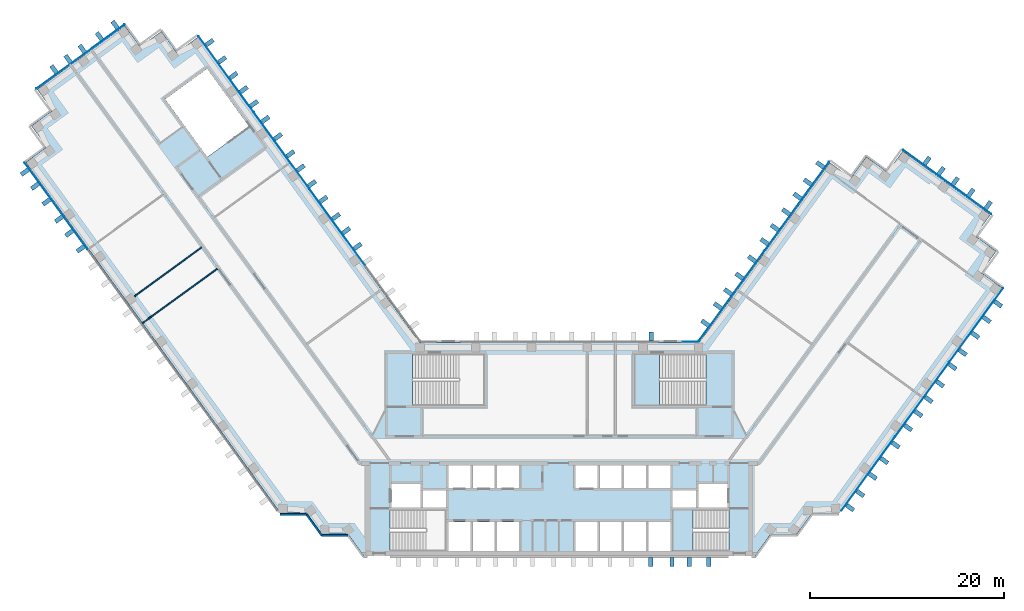
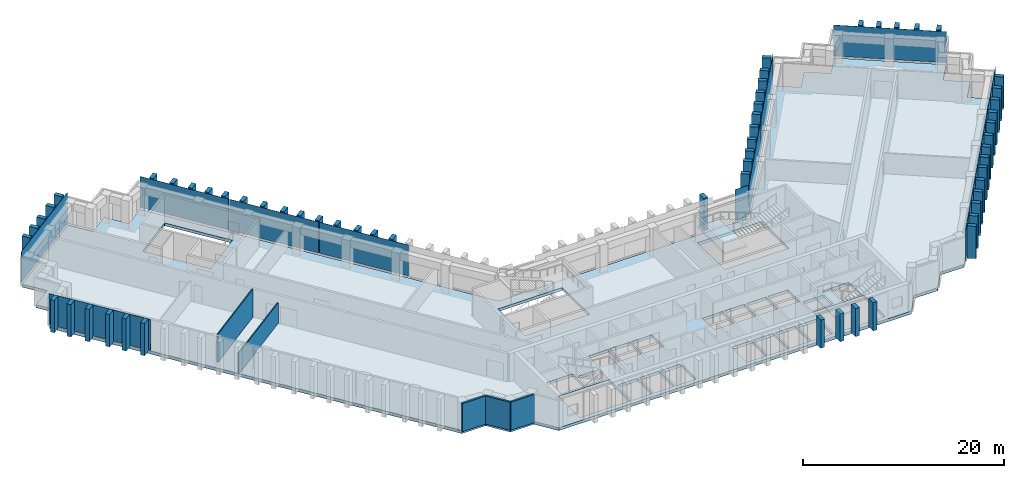
"""IFC4 building model written with IfcOpenShell, lengths in metres."""

from ifc_helpers import new_model, si_unit, direction, frame, frame_2d, origin, origin_2d, place, context, subcontext, project, spatial, polyline, rectangle, outline, extrude, material, layer, layer_set, type_object, element, aggregate, save


model = new_model("IFC4")

# Units and contexts
model_context = context("Model", 3, precision=1e-05, world=origin(), true_north=direction((0.0, 1.0)))
body_context = subcontext(model_context, "Body", "Model", "MODEL_VIEW")
ifc_project = project(units=[si_unit("LENGTHUNIT", "METRE"), si_unit("AREAUNIT", "SQUARE_METRE"), si_unit("VOLUMEUNIT", "CUBIC_METRE"), si_unit("PLANEANGLEUNIT", "RADIAN"), si_unit("MASSUNIT", "GRAM", prefix="KILO")], contexts=[model_context])

# Site, building, storey
site_placement = place(None, origin())
site = spatial("IfcSite", under=ifc_project, at=site_placement, CompositionType="ELEMENT")
building_placement = place(site_placement, origin())
building = spatial("IfcBuilding", under=site, at=building_placement, Name="Quipu Civic Tower", CompositionType="ELEMENT")
storey_1_placement = place(building_placement, frame((0.0, 0.0, 129.0)))
storey_1 = spatial("IfcBuildingStorey", under=building, at=storey_1_placement, Name="L30", CompositionType="ELEMENT", Elevation=129.0)

# Slab
ifc_material_1 = material(Name="Concrete C40/50", Category="concrete")
ifc_layer_1 = layer(ifc_material_1, 0.35009765625)
ifc_layer_set_1 = layer_set([ifc_layer_1], Name="Concrete C40/50")
slab_type_1 = type_object("IfcSlabType", Name="Floor slab 350 C40/50", PredefinedType="FLOOR", material=ifc_layer_set_1)
slab_1_placement = place(storey_1_placement, frame((0.0, 0.0, -0.35009765625)))
element("IfcSlab", 1, at=slab_1_placement, inside=storey_1, type_object=slab_type_1, Name="Floor slab L30", PredefinedType="FLOOR", context=body_context, shape_type="SweptSolid", body=[
    extrude(outline(polyline([(27.909912109375, 29.60498046875), (30.094970703125, 28.014892578125), (31.68505859375, 30.199951171875), (33.864990234375, 28.614990234375), (35.455078125, 30.800048828125), (44.514892578125, 24.215087890625), (42.929931640625, 22.030029296875), (45.114990234375, 20.445068359375), (43.52490234375, 18.260009765625), (45.7099609375, 16.669921875), (28.780029296875, -6.6298828125), (26.080078125, -6.6298828125), (24.489990234375, -8.81494140625), (21.7900390625, -8.81494140625), (20.205078125, -11.0), (-20.205078125, -11.0), (-21.7900390625, -8.81494140625), (-24.489990234375, -8.81494140625), (-26.080078125, -6.6298828125), (-28.780029296875, -6.6298828125), (-55.114990234375, 29.614990234375), (-52.929931640625, 31.205078125), (-54.514892578125, 33.389892578125), (-52.3349609375, 34.97509765625), (-53.919921875, 37.159912109375), (-44.860107421875, 43.739990234375), (-43.27001953125, 41.56005859375), (-41.0849609375, 43.14501953125), (-39.5, 40.9599609375), (-37.31494140625, 42.550048828125), (-14.39501953125, 11.0), (14.39501953125, 11.0), (27.909912109375, 29.60498046875)]), holes=[polyline([(-11.449951171875, -7.5), (-11.449951171875, -10.5), (-9.14990234375, -10.5), (-9.14990234375, -7.5), (-11.449951171875, -7.5)]), polyline([(-8.949951171875, -7.5), (-8.949951171875, -10.5), (-6.64990234375, -10.5), (-6.64990234375, -7.5), (-8.949951171875, -7.5)]), polyline([(-6.449951171875, -7.5), (-6.449951171875, -10.5), (-4.14990234375, -10.5), (-4.14990234375, -7.5), (-6.449951171875, -7.5)]), polyline([(-11.705078125, -10.4951171875), (-11.705078125, -6.2548828125), (-17.4951171875, -6.2548828125), (-17.4951171875, -10.4951171875), (-11.705078125, -10.4951171875)]), polyline([(-11.699951171875, -4.25), (-14.10009765625, -4.25), (-14.10009765625, -6.0), (-11.699951171875, -6.0), (-11.699951171875, -4.25)]), polyline([(-17.35009765625, -3.60009765625), (-17.35009765625, -6.0), (-14.35009765625, -6.0), (-14.35009765625, -3.60009765625), (-17.35009765625, -3.60009765625)]), polyline([(-9.14990234375, -1.699951171875), (-11.449951171875, -1.699951171875), (-11.449951171875, -4.0), (-9.14990234375, -4.0), (-9.14990234375, -1.699951171875)]), polyline([(-6.64990234375, -1.699951171875), (-8.949951171875, -1.699951171875), (-8.949951171875, -4.0), (-6.64990234375, -4.0), (-6.64990234375, -1.699951171875)]), polyline([(-6.449951171875, -1.699951171875), (-6.449951171875, -4.0), (-4.14990234375, -4.0), (-4.14990234375, -1.699951171875), (-6.449951171875, -1.699951171875)]), polyline([(3.949951171875, -1.699951171875), (1.64990234375, -1.699951171875), (1.64990234375, -4.0), (3.949951171875, -4.0), (3.949951171875, -1.699951171875)]), polyline([(-7.7548828125, 4.5048828125), (-7.7548828125, 9.844970703125), (-15.14501953125, 9.844970703125), (-15.14501953125, 4.5048828125), (-7.7548828125, 4.5048828125)]), polyline([(-40.68505859375, 36.135009765625), (-36.344970703125, 30.159912109375), (-32.02490234375, 33.300048828125), (-36.364990234375, 39.27490234375), (-40.68505859375, 36.135009765625)]), polyline([(3.949951171875, -7.5), (1.64990234375, -7.5), (1.64990234375, -10.5), (3.949951171875, -10.5), (3.949951171875, -7.5)]), polyline([(6.449951171875, -7.5), (4.14990234375, -7.5), (4.14990234375, -10.5), (6.449951171875, -10.5), (6.449951171875, -7.5)]), polyline([(6.64990234375, -7.5), (6.64990234375, -10.5), (8.949951171875, -10.5), (8.949951171875, -7.5), (6.64990234375, -7.5)]), polyline([(11.449951171875, -7.5), (9.14990234375, -7.5), (9.14990234375, -10.5), (11.449951171875, -10.5), (11.449951171875, -7.5)]), polyline([(11.705078125, -6.2548828125), (11.705078125, -10.4951171875), (17.4951171875, -10.4951171875), (17.4951171875, -6.2548828125), (11.705078125, -6.2548828125)]), polyline([(11.699951171875, -4.25), (11.699951171875, -6.0), (14.10009765625, -6.0), (14.10009765625, -4.25), (11.699951171875, -4.25)]), polyline([(17.35009765625, -3.60009765625), (14.35009765625, -3.60009765625), (14.35009765625, -6.0), (17.35009765625, -6.0), (17.35009765625, -3.60009765625)]), polyline([(6.449951171875, -1.699951171875), (4.14990234375, -1.699951171875), (4.14990234375, -4.0), (6.449951171875, -4.0), (6.449951171875, -1.699951171875)]), polyline([(6.64990234375, -1.699951171875), (6.64990234375, -4.0), (8.949951171875, -4.0), (8.949951171875, -1.699951171875), (6.64990234375, -1.699951171875)]), polyline([(11.449951171875, -1.699951171875), (9.14990234375, -1.699951171875), (9.14990234375, -4.0), (11.449951171875, -4.0), (11.449951171875, -1.699951171875)]), polyline([(7.7548828125, 9.844970703125), (7.7548828125, 4.5048828125), (15.14501953125, 4.5048828125), (15.14501953125, 9.844970703125), (7.7548828125, 9.844970703125)])]), origin(), (0.0, 0.0, 1.0), 0.35009765625),
])

# Storey
storey_2_placement = place(building_placement, frame((0.0, 0.0, 125.0)))
storey_2 = spatial("IfcBuildingStorey", under=building, at=storey_2_placement, Name="L29", CompositionType="ELEMENT", Elevation=125.0)

# Curtain wall, plates
ifc_material_2 = material(Name="Insulated glass unit", Category="glass")
curtain_wall_type = type_object("IfcCurtainWallType", Name="Office curtain wall CW1", PredefinedType="NOTDEFINED", material=ifc_material_2)
curtain_wall_1_placement = place(storey_2_placement, origin())
curtain_wall_1 = element("IfcCurtainWall", 2, at=curtain_wall_1_placement, inside=storey_2, type_object=curtain_wall_type, Name="Office curtain wall CW1 L28 run 1", PredefinedType="NOTDEFINED")
ifc_material_3 = material(Name="Insulated glass unit", Category="glass")
ifc_layer_2 = layer(ifc_material_3, 0.028076171875)
ifc_layer_set_2 = layer_set([ifc_layer_2], Name="Insulated glass unit")
plate_type_1 = type_object("IfcPlateType", Name="Glass panel CW1", PredefinedType="CURTAIN_PANEL", material=ifc_layer_set_2)
plate_1_placement = place(storey_1_placement, frame((-22.950439453125, 22.9453125, 0.16015625), z_axis=(0.0, 0.0, 1.0), x_axis=(-0.587785887566, 0.809016532822, 0.0)))
plate_1 = element("IfcPlate", 3, at=plate_1_placement, inside=storey_1, type_object=plate_type_1, Name="CW1 panel 2.3", PredefinedType="CURTAIN_PANEL", context=body_context, shape_type="SweptSolid", body=[
    extrude(rectangle(XDim=9.68115234375, YDim=0.028076171875, at=origin_2d()), origin(), (0.0, 0.0, 1.0), 3.760009765625),
])
plate_2_placement = place(storey_1_placement, frame((-28.687744140625, 30.84228515625, 0.16015625), z_axis=(0.0, 0.0, 1.0), x_axis=(-0.587785887566, 0.809016532822, 0.0)))
plate_2 = element("IfcPlate", 4, at=plate_2_placement, inside=storey_1, type_object=plate_type_1, Name="CW1 panel 3.3", PredefinedType="CURTAIN_PANEL", context=body_context, shape_type="SweptSolid", body=[
    extrude(rectangle(XDim=9.68115234375, YDim=0.028076171875, at=origin_2d()), origin(), (0.0, 0.0, 1.0), 3.760009765625),
])
plate_3_placement = place(storey_1_placement, frame((-34.413330078125, 38.722900390625, 0.16015625), z_axis=(0.0, 0.0, 1.0), x_axis=(-0.587785887566, 0.809016532822, 0.0)))
plate_3 = element("IfcPlate", 5, at=plate_3_placement, inside=storey_1, type_object=plate_type_1, Name="CW1 panel 4.3", PredefinedType="CURTAIN_PANEL", context=body_context, shape_type="SweptSolid", body=[
    extrude(rectangle(XDim=9.64111328125, YDim=0.028076171875, at=origin_2d()), origin(), (0.0, 0.0, 1.0), 3.760009765625),
])
aggregate(curtain_wall_1, [plate_1, plate_2, plate_3])

# Curtain wall, plate
curtain_wall_2_placement = place(storey_2_placement, origin())
curtain_wall_2 = element("IfcCurtainWall", 6, at=curtain_wall_2_placement, inside=storey_2, type_object=curtain_wall_type, Name="Office curtain wall CW1 L28 run 6", PredefinedType="NOTDEFINED")
plate_4_placement = place(storey_1_placement, frame((-49.447998046875, 40.53173828125, 0.16015625), z_axis=(0.0, 0.0, 1.0), x_axis=(-0.809019348124, -0.587782012621, 0.0)))
plate_4 = element("IfcPlate", 7, at=plate_4_placement, inside=storey_1, type_object=plate_type_1, Name="CW1 panel 1.3", PredefinedType="CURTAIN_PANEL", context=body_context, shape_type="SweptSolid", body=[
    extrude(rectangle(XDim=11.239990234375, YDim=0.028076171875, at=origin_2d()), origin(), (0.0, 0.0, 1.0), 3.760009765625),
])
aggregate(curtain_wall_2, [plate_4])

curtain_wall_3_placement = place(storey_2_placement, origin())
curtain_wall_3 = element("IfcCurtainWall", 8, at=curtain_wall_3_placement, inside=storey_2, type_object=curtain_wall_type, Name="Office curtain wall CW1 L28 run 11", PredefinedType="NOTDEFINED")
plate_5_placement = place(storey_1_placement, frame((-51.967529296875, 25.114990234375, 0.16015625), z_axis=(0.0, 0.0, 1.0), x_axis=(0.587785559869, -0.809016770908, 0.0)))
plate_5 = element("IfcPlate", 9, at=plate_5_placement, inside=storey_1, type_object=plate_type_1, Name="CW1 panel 1.3", PredefinedType="CURTAIN_PANEL", context=body_context, shape_type="SweptSolid", body=[
    extrude(rectangle(XDim=11.022705078125, YDim=0.028076171875, at=origin_2d()), origin(), (0.0, 0.0, 1.0), 3.760009765625),
])
aggregate(curtain_wall_3, [plate_5])

# Curtain wall, plates
curtain_wall_4_placement = place(storey_2_placement, origin())
curtain_wall_4 = element("IfcCurtainWall", 10, at=curtain_wall_4_placement, inside=storey_2, type_object=curtain_wall_type, Name="Office curtain wall CW1 L28 run 23", PredefinedType="NOTDEFINED")
plate_6_placement = place(storey_1_placement, frame((31.86669921875, -2.551513671875, 0.16015625), z_axis=(0.0, 0.0, 1.0), x_axis=(0.587785375786, 0.809016904652, 0.0)))
plate_6 = element("IfcPlate", 11, at=plate_6_placement, inside=storey_1, type_object=plate_type_1, Name="CW1 panel 1.3", PredefinedType="CURTAIN_PANEL", context=body_context, shape_type="SweptSolid", body=[
    extrude(rectangle(XDim=9.403564453125, YDim=0.028076171875, at=origin_2d()), origin(), (0.0, 0.0, 1.0), 3.760009765625),
])
plate_7_placement = place(storey_1_placement, frame((37.45263671875, 5.13720703125, 0.16015625), z_axis=(0.0, 0.0, 1.0), x_axis=(0.587785375786, 0.809016904652, 0.0)))
plate_7 = element("IfcPlate", 12, at=plate_7_placement, inside=storey_1, type_object=plate_type_1, Name="CW1 panel 2.3", PredefinedType="CURTAIN_PANEL", context=body_context, shape_type="SweptSolid", body=[
    extrude(rectangle(XDim=9.443603515625, YDim=0.028076171875, at=origin_2d()), origin(), (0.0, 0.0, 1.0), 3.760009765625),
])
plate_8_placement = place(storey_1_placement, frame((43.038818359375, 12.82568359375, 0.16015625), z_axis=(0.0, 0.0, 1.0), x_axis=(0.587785375786, 0.809016904652, 0.0)))
plate_8 = element("IfcPlate", 13, at=plate_8_placement, inside=storey_1, type_object=plate_type_1, Name="CW1 panel 3.3", PredefinedType="CURTAIN_PANEL", context=body_context, shape_type="SweptSolid", body=[
    extrude(rectangle(XDim=9.403564453125, YDim=0.028076171875, at=origin_2d()), origin(), (0.0, 0.0, 1.0), 3.760009765625),
])
aggregate(curtain_wall_4, [plate_6, plate_7, plate_8])

# Curtain wall, plate
curtain_wall_5_placement = place(storey_2_placement, origin())
curtain_wall_5 = element("IfcCurtainWall", 14, at=curtain_wall_5_placement, inside=storey_2, type_object=curtain_wall_type, Name="Office curtain wall CW1 L28 run 25", PredefinedType="NOTDEFINED")
plate_9_placement = place(storey_1_placement, frame((40.04345703125, 27.58740234375, 0.16015625), z_axis=(0.0, 0.0, 1.0), x_axis=(-0.809015176832, 0.587787753918, 0.0)))
plate_9 = element("IfcPlate", 15, at=plate_9_placement, inside=storey_1, type_object=plate_type_1, Name="CW1 panel 1.3", PredefinedType="CURTAIN_PANEL", context=body_context, shape_type="SweptSolid", body=[
    extrude(rectangle(XDim=11.239990234375, YDim=0.028076171875, at=origin_2d()), origin(), (0.0, 0.0, 1.0), 3.760009765625),
])
aggregate(curtain_wall_5, [plate_9])

# Curtain wall, plates
curtain_wall_6_placement = place(storey_2_placement, origin())
curtain_wall_6 = element("IfcCurtainWall", 16, at=curtain_wall_6_placement, inside=storey_2, type_object=curtain_wall_type, Name="Office curtain wall CW1 L28 run 30", PredefinedType="NOTDEFINED")
plate_10_placement = place(storey_1_placement, frame((24.491455078125, 25.066162109375, 0.16015625), z_axis=(0.0, 0.0, 1.0), x_axis=(-0.587788727052, -0.809014469803, 0.0)))
plate_10 = element("IfcPlate", 17, at=plate_10_placement, inside=storey_1, type_object=plate_type_1, Name="CW1 panel 1.3", PredefinedType="CURTAIN_PANEL", context=body_context, shape_type="SweptSolid", body=[
    extrude(rectangle(XDim=11.402099609375, YDim=0.028076171875, at=origin_2d()), origin(), (0.0, 0.0, 1.0), 3.760009765625),
])
plate_11_placement = place(storey_1_placement, frame((17.7421875, 15.777099609375, 0.16015625), z_axis=(0.0, 0.0, 1.0), x_axis=(-0.587788727052, -0.809014469803, 0.0)))
plate_11 = element("IfcPlate", 18, at=plate_11_placement, inside=storey_1, type_object=plate_type_1, Name="CW1 panel 2.3", PredefinedType="CURTAIN_PANEL", context=body_context, shape_type="SweptSolid", body=[
    extrude(rectangle(XDim=11.402099609375, YDim=0.028076171875, at=origin_2d()), origin(), (0.0, 0.0, 1.0), 3.760009765625),
])
aggregate(curtain_wall_6, [plate_10, plate_11])

# Curtain wall, plate
curtain_wall_7_placement = place(storey_2_placement, origin())
curtain_wall_7 = element("IfcCurtainWall", 19, at=curtain_wall_7_placement, inside=storey_2, type_object=curtain_wall_type, Name="Office curtain wall CW1 L28 run 31", PredefinedType="NOTDEFINED")
plate_12_placement = place(storey_1_placement, frame((13.49951171875, 11.10009765625, 0.16015625), z_axis=(0.0, 0.0, 1.0), x_axis=(-1.0, 0.0, 0.0)))
plate_12 = element("IfcPlate", 20, at=plate_12_placement, inside=storey_1, type_object=plate_type_1, Name="CW1 panel 1.3", PredefinedType="CURTAIN_PANEL", context=body_context, shape_type="SweptSolid", body=[
    extrude(rectangle(XDim=1.529296875, YDim=0.028076171875, at=origin_2d()), origin(), (0.0, 0.0, 1.0), 3.760009765625),
])
aggregate(curtain_wall_7, [plate_12])

# Plates
ifc_material_4 = material(Name="Precast concrete C40/50", Category="concrete")
plate_type_2 = type_object("IfcPlateType", Name="Precast fin F1", PredefinedType="SHEET", material=ifc_material_4)
for number, where, z_axis, x_axis, name in (
    (21, (-20.81982421875, 20.94873046875, 0.080078125), (0.0, 0.0, 1.0), (-0.587784944053, 0.809017218324, 0.0), "Precast fin F1 L30.P01.6"),
    (22, (-21.995361328125, 22.566650390625, 0.080078125), (0.0, 0.0, 1.0), (-0.587784944053, 0.809017218324, 0.0), "Precast fin F1 L30.P01.7"),
    (23, (-23.053466796875, 24.02294921875, 0.080078125), (0.0, 0.0, 1.0), (-0.587784944053, 0.809017218324, 0.0), "Precast fin F1 L30.P01.8"),
    (24, (-24.3466796875, 25.802734375, 0.080078125), (0.0, 0.0, 1.0), (-0.587784944053, 0.809017218324, 0.0), "Precast fin F1 L30.P01.9"),
    (25, (-25.522216796875, 27.4208984375, 0.080078125), (0.0, 0.0, 1.0), (-0.587784944053, 0.809017218324, 0.0), "Precast fin F1 L30.P01.10"),
    (26, (-26.69775390625, 29.038818359375, 0.080078125), (0.0, 0.0, 1.0), (-0.587784944053, 0.809017218324, 0.0), "Precast fin F1 L30.P01.11"),
    (27, (-27.755859375, 30.4951171875, 0.080078125), (0.0, 0.0, 1.0), (-0.587784944053, 0.809017218324, 0.0), "Precast fin F1 L30.P01.12"),
    (28, (-29.048828125, 32.27490234375, 0.080078125), (0.0, 0.0, 1.0), (-0.587784944053, 0.809017218324, 0.0), "Precast fin F1 L30.P01.13"),
    (29, (-30.342041015625, 34.0546875, 0.080078125), (0.0, 0.0, 1.0), (-0.587784944053, 0.809017218324, 0.0), "Precast fin F1 L30.P01.14"),
    (30, (-31.517578125, 35.6728515625, 0.080078125), (0.0, 0.0, 1.0), (-0.587784944053, 0.809017218324, 0.0), "Precast fin F1 L30.P01.15"),
    (31, (-32.57568359375, 37.129150390625, 0.080078125), (0.0, 0.0, 1.0), (-0.587784944053, 0.809017218324, 0.0), "Precast fin F1 L30.P01.16"),
    (32, (-33.633544921875, 38.585205078125, 0.080078125), (0.0, 0.0, 1.0), (-0.587784944053, 0.809017218324, 0.0), "Precast fin F1 L30.P01.17"),
    (33, (-34.80908203125, 40.203369140625, 0.080078125), (0.0, 0.0, 1.0), (-0.587784944053, 0.809017218324, 0.0), "Precast fin F1 L30.P01.18"),
    (34, (-36.102294921875, 41.983154296875, 0.080078125), (0.0, 0.0, 1.0), (-0.587784944053, 0.809017218324, 0.0), "Precast fin F1 L30.P01.19"),
    (35, (-45.867919921875, 43.812744140625, 0.080078125), (0.0, 0.0, 1.0), (-0.809021318545, -0.587779300537, 0.0), "Precast fin F1 L30.P06.1"),
    (36, (-47.48583984375, 42.63720703125, 0.080078125), (0.0, 0.0, 1.0), (-0.809021318545, -0.587779300537, 0.0), "Precast fin F1 L30.P06.2"),
    (37, (-49.265625, 41.343994140625, 0.080078125), (0.0, 0.0, 1.0), (-0.809021318545, -0.587779300537, 0.0), "Precast fin F1 L30.P06.3"),
    (38, (-50.721923828125, 40.2861328125, 0.080078125), (0.0, 0.0, 1.0), (-0.809021318545, -0.587779300537, 0.0), "Precast fin F1 L30.P06.4"),
    (39, (-52.17822265625, 39.22802734375, 0.080078125), (0.0, 0.0, 1.0), (-0.809021318545, -0.587779300537, 0.0), "Precast fin F1 L30.P06.5"),
    (40, (-55.184814453125, 28.607421875, 0.080078125), (0.0, 0.0, 1.0), (0.587785716149, -0.809016657363, 0.0), "Precast fin F1 L30.P11.1"),
    (41, (-54.126708984375, 27.151123046875, 0.080078125), (0.0, 0.0, 1.0), (0.587785716149, -0.809016657363, 0.0), "Precast fin F1 L30.P11.2"),
    (42, (-52.951171875, 25.533203125, 0.080078125), (0.0, 0.0, 1.0), (0.587785716149, -0.809016657363, 0.0), "Precast fin F1 L30.P11.3"),
    (43, (-51.657958984375, 23.75341796875, 0.080078125), (0.0, 0.0, 1.0), (0.587785716149, -0.809016657363, 0.0), "Precast fin F1 L30.P11.4"),
    (44, (-50.60009765625, 22.297119140625, 0.080078125), (0.0, 0.0, 1.0), (0.587785716149, -0.809016657363, 0.0), "Precast fin F1 L30.P11.5"),
    (45, (-49.42431640625, 20.67919921875, 0.080078125), (0.0, 0.0, 1.0), (0.587785716149, -0.809016657363, 0.0), "Precast fin F1 L30.P11.6"),
):
    element("IfcPlate", number, at=place(storey_1_placement, frame(where, z_axis=z_axis, x_axis=x_axis)), inside=storey_1, type_object=plate_type_2, Name=name, PredefinedType="SHEET", context=body_context, shape_type="SweptSolid", body=[
        extrude(rectangle(XDim=0.449951171875, YDim=0.89990234375, at=origin_2d()), origin(), (0.0, 0.0, 1.0), 3.919921875),
    ])
for number, where, z_axis, x_axis, name in (
    (46, (9.425048828125, -11.637939453125, 0.0), (0.0, 0.0, 1.0), (1.0, 0.0, 0.0), "Precast fin F1 L30.P18.14"),
    (47, (11.625, -11.637939453125, 0.0), (0.0, 0.0, 1.0), (1.0, 0.0, 0.0), "Precast fin F1 L30.P18.15"),
    (48, (13.425048828125, -11.637939453125, 0.0), (0.0, 0.0, 1.0), (1.0, 0.0, 0.0), "Precast fin F1 L30.P18.16"),
    (49, (15.425048828125, -11.637939453125, 0.0), (0.0, 0.0, 1.0), (1.0, 0.0, 0.0), "Precast fin F1 L30.P18.17"),
):
    element("IfcPlate", number, at=place(storey_1_placement, frame(where, z_axis=z_axis, x_axis=x_axis)), inside=storey_1, type_object=plate_type_2, Name=name, PredefinedType="SHEET", context=body_context, shape_type="SweptSolid", body=[
        extrude(rectangle(XDim=0.449951171875, YDim=0.89990234375, at=origin_2d()), origin(), (0.0, 0.0, 1.0), 3.39990234375),
    ])
for number, where, z_axis, x_axis, name in (
    (50, (30.014404296875, -6.036376953125, 0.080078125), (0.0, 0.0, 1.0), (0.587785620359, 0.809016726959, 0.0), "Precast fin F1 L30.P24.1"),
    (51, (31.072509765625, -4.580078125, 0.080078125), (0.0, 0.0, 1.0), (0.587785620359, 0.809016726959, 0.0), "Precast fin F1 L30.P24.2"),
    (52, (32.36572265625, -2.80029296875, 0.080078125), (0.0, 0.0, 1.0), (0.587785620359, 0.809016726959, 0.0), "Precast fin F1 L30.P24.3"),
    (53, (33.541259765625, -1.18212890625, 0.080078125), (0.0, 0.0, 1.0), (0.587785620359, 0.809016726959, 0.0), "Precast fin F1 L30.P24.4"),
    (54, (34.716796875, 0.435791015625, 0.080078125), (0.0, 0.0, 1.0), (0.587785620359, 0.809016726959, 0.0), "Precast fin F1 L30.P24.5"),
    (55, (36.010009765625, 2.215576171875, 0.080078125), (0.0, 0.0, 1.0), (0.587785620359, 0.809016726959, 0.0), "Precast fin F1 L30.P24.6"),
    (56, (37.06787109375, 3.671875, 0.080078125), (0.0, 0.0, 1.0), (0.587785620359, 0.809016726959, 0.0), "Precast fin F1 L30.P24.7"),
    (57, (38.1259765625, 5.128173828125, 0.080078125), (0.0, 0.0, 1.0), (0.587785620359, 0.809016726959, 0.0), "Precast fin F1 L30.P24.8"),
    (58, (39.301513671875, 6.74609375, 0.080078125), (0.0, 0.0, 1.0), (0.587785620359, 0.809016726959, 0.0), "Precast fin F1 L30.P24.9"),
    (59, (40.5947265625, 8.52587890625, 0.080078125), (0.0, 0.0, 1.0), (0.587785620359, 0.809016726959, 0.0), "Precast fin F1 L30.P24.10"),
    (60, (41.652587890625, 9.982177734375, 0.080078125), (0.0, 0.0, 1.0), (0.587785620359, 0.809016726959, 0.0), "Precast fin F1 L30.P24.11"),
    (61, (42.94580078125, 11.761962890625, 0.080078125), (0.0, 0.0, 1.0), (0.587785620359, 0.809016726959, 0.0), "Precast fin F1 L30.P24.12"),
    (62, (44.121337890625, 13.380126953125, 0.080078125), (0.0, 0.0, 1.0), (0.587785620359, 0.809016726959, 0.0), "Precast fin F1 L30.P24.13"),
    (63, (45.296875, 14.998046875, 0.080078125), (0.0, 0.0, 1.0), (0.587785620359, 0.809016726959, 0.0), "Precast fin F1 L30.P24.14"),
    (64, (44.270263671875, 25.1962890625, 0.080078125), (0.0, 0.0, 1.0), (-0.809017072762, 0.587785144401, 0.0), "Precast fin F1 L30.P26.1"),
    (65, (42.490478515625, 26.489501953125, 0.080078125), (0.0, 0.0, 1.0), (-0.809017072762, 0.587785144401, 0.0), "Precast fin F1 L30.P26.2"),
    (66, (40.872314453125, 27.6650390625, 0.080078125), (0.0, 0.0, 1.0), (-0.809017072762, 0.587785144401, 0.0), "Precast fin F1 L30.P26.3"),
    (67, (39.416259765625, 28.72314453125, 0.080078125), (0.0, 0.0, 1.0), (-0.809017072762, 0.587785144401, 0.0), "Precast fin F1 L30.P26.4"),
    (68, (37.9599609375, 29.781005859375, 0.080078125), (0.0, 0.0, 1.0), (-0.809017072762, 0.587785144401, 0.0), "Precast fin F1 L30.P26.5"),
    (69, (26.93017578125, 29.358642578125, 0.080078125), (0.0, 0.0, 1.0), (-0.587787133119, -0.809015627871, 0.0), "Precast fin F1 L30.P31.1"),
    (70, (25.636962890625, 27.578857421875, 0.080078125), (0.0, 0.0, 1.0), (-0.587787133119, -0.809015627871, 0.0), "Precast fin F1 L30.P31.2"),
    (71, (24.578857421875, 26.12255859375, 0.080078125), (0.0, 0.0, 1.0), (-0.587787133119, -0.809015627871, 0.0), "Precast fin F1 L30.P31.3"),
    (72, (23.4033203125, 24.50439453125, 0.080078125), (0.0, 0.0, 1.0), (-0.587787133119, -0.809015627871, 0.0), "Precast fin F1 L30.P31.4"),
    (73, (22.227783203125, 22.886474609375, 0.080078125), (0.0, 0.0, 1.0), (-0.587787133119, -0.809015627871, 0.0), "Precast fin F1 L30.P31.5"),
    (74, (21.169677734375, 21.43017578125, 0.080078125), (0.0, 0.0, 1.0), (-0.587787133119, -0.809015627871, 0.0), "Precast fin F1 L30.P31.6"),
    (75, (19.876708984375, 19.650390625, 0.080078125), (0.0, 0.0, 1.0), (-0.587787133119, -0.809015627871, 0.0), "Precast fin F1 L30.P31.7"),
    (76, (18.58349609375, 17.87060546875, 0.080078125), (0.0, 0.0, 1.0), (-0.587787133119, -0.809015627871, 0.0), "Precast fin F1 L30.P31.8"),
    (77, (17.407958984375, 16.25244140625, 0.080078125), (0.0, 0.0, 1.0), (-0.587787133119, -0.809015627871, 0.0), "Precast fin F1 L30.P31.9"),
    (78, (16.349853515625, 14.79638671875, 0.080078125), (0.0, 0.0, 1.0), (-0.587787133119, -0.809015627871, 0.0), "Precast fin F1 L30.P31.10"),
    (79, (15.056884765625, 13.016357421875, 0.080078125), (0.0, 0.0, 1.0), (-0.587787133119, -0.809015627871, 0.0), "Precast fin F1 L30.P31.11"),
    (80, (9.47509765625, 11.64990234375, 0.080078125), (0.0, 0.0, 1.0), (-1.0, 0.0, 0.0), "Precast fin F1 L30.P34.1"),
):
    element("IfcPlate", number, at=place(storey_1_placement, frame(where, z_axis=z_axis, x_axis=x_axis)), inside=storey_1, type_object=plate_type_2, Name=name, PredefinedType="SHEET", context=body_context, shape_type="SweptSolid", body=[
        extrude(rectangle(XDim=0.449951171875, YDim=0.89990234375, at=origin_2d()), origin(), (0.0, 0.0, 1.0), 3.919921875),
    ])

# Stair, slab
ifc_material_5 = material(Name="Concrete C40/50", Category="concrete")
stair_type_1 = type_object("IfcStairType", Name="Half turn stair 2000", PredefinedType="HALF_TURN_STAIR", material=ifc_material_5)
stair_1_placement = place(storey_1_placement, origin())
stair_1 = element("IfcStair", 81, at=stair_1_placement, inside=storey_1, type_object=stair_type_1, Name="Exit stair 2", PredefinedType="HALF_TURN_STAIR")
ifc_material_6 = material(Name="Concrete C40/50", Category="concrete")
ifc_layer_3 = layer(ifc_material_6, 0.199951171875)
ifc_layer_set_3 = layer_set([ifc_layer_3], Name="Concrete C40/50")
slab_type_2 = type_object("IfcSlabType", Name="Stair landing 200", PredefinedType="LANDING", material=ifc_layer_set_3)
slab_2_placement = place(storey_1_placement, frame((0.0, 0.0, 1.800048828125)))
slab_2 = element("IfcSlab", 82, at=slab_2_placement, type_object=slab_type_2, Name="ST-2 landing 1", PredefinedType="LANDING", context=body_context, shape_type="SweptSolid", body=[
    extrude(outline(polyline([(13.780029296875, -6.25), (11.699951171875, -6.25), (11.699951171875, -10.5), (13.780029296875, -10.5), (13.780029296875, -6.25)])), origin(), (0.0, 0.0, 1.0), 0.199951171875),
])
aggregate(stair_1, [slab_2])

ifc_material_7 = material(Name="Concrete C40/50", Category="concrete")
stair_type_2 = type_object("IfcStairType", Name="Half turn stair 2600", PredefinedType="HALF_TURN_STAIR", material=ifc_material_7)
stair_2_placement = place(storey_1_placement, origin())
stair_2 = element("IfcStair", 83, at=stair_2_placement, inside=storey_1, type_object=stair_type_2, Name="Exit stair 4", PredefinedType="HALF_TURN_STAIR")
slab_3_placement = place(storey_1_placement, frame((0.0, 0.0, 1.800048828125)))
slab_3 = element("IfcSlab", 84, at=slab_3_placement, type_object=slab_type_2, Name="ST-4 landing 1", PredefinedType="LANDING", context=body_context, shape_type="SweptSolid", body=[
    extrude(outline(polyline([(10.35009765625, 9.85009765625), (7.75, 9.85009765625), (7.75, 4.5), (10.35009765625, 4.5), (10.35009765625, 9.85009765625)])), origin(), (0.0, 0.0, 1.0), 0.199951171875),
])
aggregate(stair_2, [slab_3])

# Walls
ifc_material_8 = material(Name="Gypsum plasterboard on light gauge framing")
ifc_layer_4 = layer(ifc_material_8, 0.1201171875)
ifc_layer_set_4 = layer_set([ifc_layer_4], Name="Gypsum plasterboard on light gauge framing")
wall_type_1 = type_object("IfcWallType", Name="Partition 120 plasterboard", PredefinedType="PARTITIONING", material=ifc_layer_set_4)
wall_1_placement = place(storey_1_placement, frame((-43.876220703125, 15.7734375, 0.0), z_axis=(0.0, 0.0, 1.0), x_axis=(0.807597163234, 0.589734535139, 0.0)))
element("IfcWall", 85, at=wall_1_placement, inside=storey_1, type_object=wall_type_1, Name="Partition P05", PredefinedType="PARTITIONING", context=body_context, shape_type="SweptSolid", body=[
    extrude(rectangle(XDim=8.59521484375, YDim=0.1201171875, at=frame_2d((4.297607421875, 0.0))), origin(), (0.0, 0.0, 1.0), 3.39990234375),
])
wall_2_placement = place(storey_1_placement, frame((-35.32421875, 18.624755859375, 0.0), z_axis=(0.0, 0.0, 1.0), x_axis=(-0.808998008689, -0.58781138296, 0.0)))
element("IfcWall", 86, at=wall_2_placement, inside=storey_1, type_object=wall_type_1, Name="Partition P10", PredefinedType="PARTITIONING", context=body_context, shape_type="SweptSolid", body=[
    extrude(rectangle(XDim=9.5498046875, YDim=0.1201171875, at=frame_2d((4.77490234375, 0.0))), origin(), (0.0, 0.0, 1.0), 2.5),
])
ifc_material_9 = material(Name="Precast concrete C40/50", Category="concrete")
wall_type_2 = type_object("IfcWallType", Name="Precast cladding wall", PredefinedType="SOLIDWALL", material=ifc_material_9)
wall_3_placement = place(storey_1_placement, frame((-28.829833984375, -6.71923828125, 0.0), z_axis=(0.0, 0.0, 1.0), x_axis=(1.0, 0.0, 0.0)))
element("IfcWall", 87, at=wall_3_placement, inside=storey_1, type_object=wall_type_2, Name="Precast cladding wall L30 P12", PredefinedType="SOLIDWALL", context=body_context, shape_type="SweptSolid", body=[
    extrude(rectangle(XDim=2.699951171875, YDim=0.199951171875, at=frame_2d((1.35009765625, 0.0))), origin(), (0.0, 0.0, 1.0), 3.39990234375),
])
wall_4_placement = place(storey_1_placement, frame((-26.1201171875, -6.72412109375, 0.0), z_axis=(0.0, 0.0, 1.0), x_axis=(0.587720002413, -0.809064397168, 0.0)))
element("IfcWall", 88, at=wall_4_placement, inside=storey_1, type_object=wall_type_2, Name="Precast cladding wall L30 P13", PredefinedType="SOLIDWALL", context=body_context, shape_type="SweptSolid", body=[
    extrude(rectangle(XDim=2.7001953125, YDim=0.199951171875, at=frame_2d((1.35009765625, 0.0))), origin(), (0.0, 0.0, 1.0), 3.39990234375),
])
wall_5_placement = place(storey_1_placement, frame((-24.542724609375, -8.90380859375, 0.0), z_axis=(0.0, 0.0, 1.0), x_axis=(1.0, 0.0, 0.0)))
element("IfcWall", 89, at=wall_5_placement, inside=storey_1, type_object=wall_type_2, Name="Precast cladding wall L30 P14", PredefinedType="SOLIDWALL", context=body_context, shape_type="SweptSolid", body=[
    extrude(rectangle(XDim=2.699951171875, YDim=0.199951171875, at=frame_2d((1.35009765625, 0.0))), origin(), (0.0, 0.0, 1.0), 3.39990234375),
])

save(model, "model.ifc")
